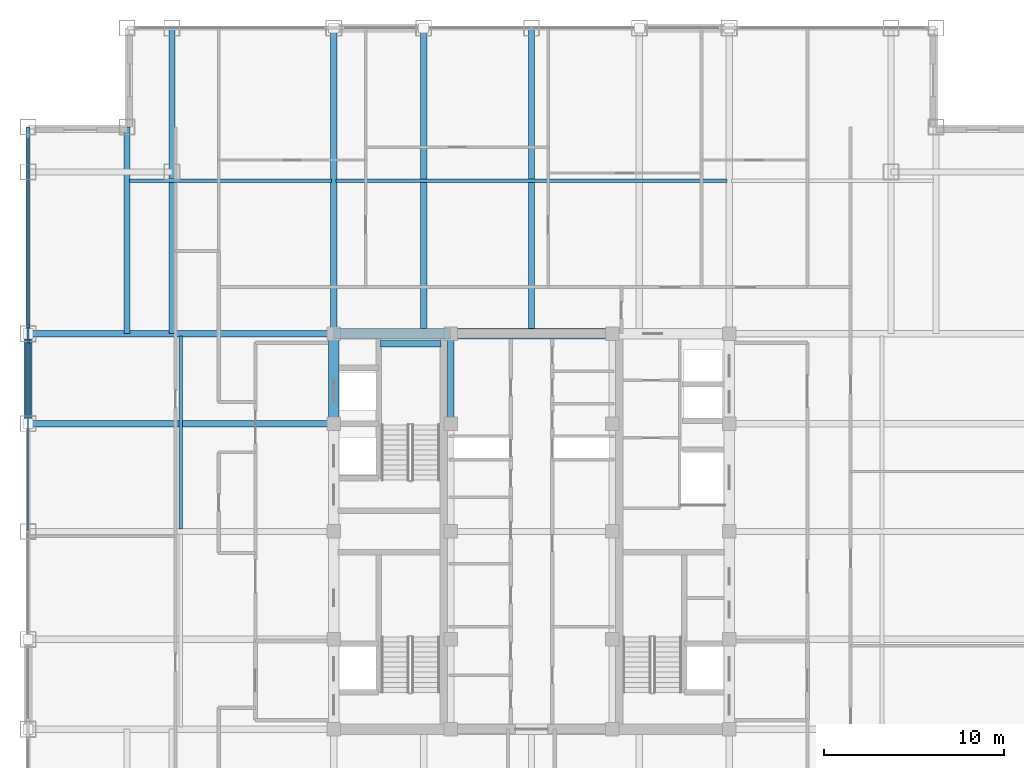
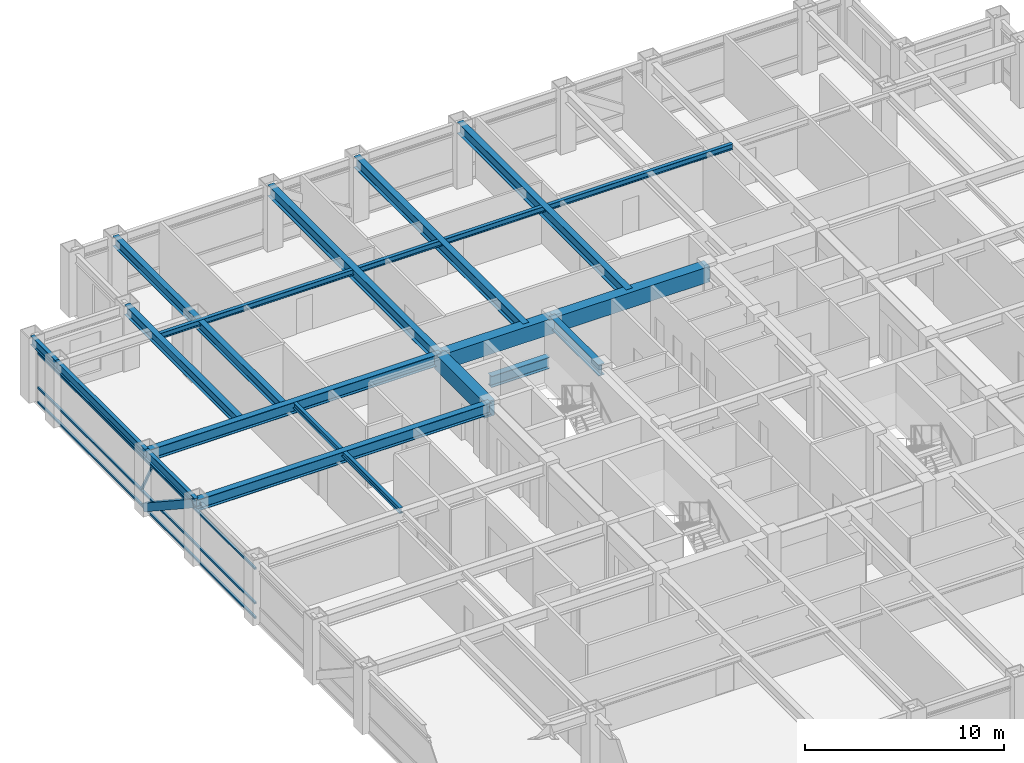
# One storey, part 11 of 22: 18 beams, 5 members, 1 element without a shape of its own.
"""IFC4 building model written with IfcOpenShell, lengths in metres."""

from ifc_helpers import new_model, si_unit, direction, frame, origin, origin_2d, place, context, subcontext, project, spatial, rectangle, hollow_rectangle, i_section, extrude, source, transform, mapped, material, material_profile, profile_set, type_object, element, aggregate, save


model = new_model("IFC4")

# Units and contexts
model_context = context("Model", 3, precision=1e-05, world=origin(), true_north=direction((0.0, 1.0)))
body_context = subcontext(model_context, "Body", "Model", "MODEL_VIEW")
ifc_project = project(units=[si_unit("LENGTHUNIT", "METRE"), si_unit("AREAUNIT", "SQUARE_METRE"), si_unit("VOLUMEUNIT", "CUBIC_METRE"), si_unit("PLANEANGLEUNIT", "RADIAN"), si_unit("MASSUNIT", "GRAM", prefix="KILO")], contexts=[model_context])

# Site, building, storey
site_placement = place(None, origin())
site = spatial("IfcSite", under=ifc_project, at=site_placement, CompositionType="ELEMENT")
building_placement = place(site_placement, origin())
building = spatial("IfcBuilding", under=site, at=building_placement, Name="Khorayat Bourse Tower", CompositionType="ELEMENT")
storey_placement = place(building_placement, frame((0.0, 0.0, 301.5)))
storey = spatial("IfcBuildingStorey", under=building, at=storey_placement, Name="L71", CompositionType="ELEMENT", Elevation=301.5)

# Beams
ifc_material_1 = material(Name="Steel ASTM A992 Grade 50", Category="steel")
ifc_material_profile_1 = material_profile(ifc_material_1, i_section(OverallWidth=0.35498046875, OverallDepth=0.695068359375, WebThickness=0.015380859375, FlangeThickness=0.02490234375, FilletRadius=0.01806640625, at=origin_2d()), Name="W690X217")
ifc_profile_set_1 = profile_set([ifc_material_profile_1], Name="Steel ASTM A992 Grade 50")
beam_type_1 = type_object("IfcBeamType", Name="BM-GIRD-690", PredefinedType="BEAM", material=ifc_profile_set_1)
shared_shape_1 = source(origin(), body_context, "Body", "SweptSolid", [
    extrude(i_section(OverallWidth=0.35498046875, OverallDepth=0.695068359375, WebThickness=0.015380859375, FlangeThickness=0.02490234375, FilletRadius=0.01806640625, at=origin_2d()), origin(), (0.0, 0.0, 1.0), 5.0),
])
beam_1_placement = place(storey_placement, frame((-4.5, 6.0, 3.4326171875), z_axis=(0.0, 1.0, 0.0), x_axis=(-1.0, 0.0, 0.0)))
element("IfcBeam", 1, at=beam_1_placement, inside=storey, type_object=beam_type_1, Name="L71 BM-GIRD-690 BM-L71-CRX-08", PredefinedType="BEAM", context=body_context, shape_type="MappedRepresentation", body=[
    mapped(shared_shape_1, transform((0.0, 0.0, 0.0), scale=1.0)),
])
shared_shape_2 = source(origin(), body_context, "Body", "SweptSolid", [
    extrude(i_section(OverallWidth=0.35498046875, OverallDepth=0.695068359375, WebThickness=0.015380859375, FlangeThickness=0.02490234375, FilletRadius=0.01806640625, at=origin_2d()), origin(), (0.0, 0.0, 1.0), 3.39990234375),
])
beam_2_placement = place(storey_placement, frame((-8.419921875, 10.449951171875, 1.452392578125), z_axis=(1.0, 0.0, 0.0), x_axis=(0.0, 1.0, 0.0)))
element("IfcBeam", 2, at=beam_2_placement, inside=storey, type_object=beam_type_1, Name="L71 BM-GIRD-690 BM-L71-ST2L", PredefinedType="BEAM", context=body_context, shape_type="MappedRepresentation", body=[
    mapped(shared_shape_2, transform((0.0, 0.0, 0.0), scale=1.0)),
])
ifc_material_profile_2 = material_profile(ifc_material_1, i_section(OverallWidth=0.324951171875, OverallDepth=0.615966796875, WebThickness=0.013916015625, FlangeThickness=0.021484375, FilletRadius=0.01611328125, at=origin_2d()), Name="W610X174")
ifc_profile_set_2 = profile_set([ifc_material_profile_2], Name="Steel ASTM A992 Grade 50")
beam_type_2 = type_object("IfcBeamType", Name="BM-GIRD-610", PredefinedType="BEAM", material=ifc_profile_set_2)
shared_shape_3 = source(origin(), body_context, "Body", "SweptSolid", [
    extrude(i_section(OverallWidth=0.324951171875, OverallDepth=0.615966796875, WebThickness=0.013916015625, FlangeThickness=0.021484375, FilletRadius=0.01611328125, at=origin_2d()), origin(), (0.0, 0.0, 1.0), 17.0),
])
beam_3_placement = place(storey_placement, frame((-20.0, 11.0, 3.471923828125), z_axis=(0.0, 1.0, 0.0), x_axis=(-1.0, 0.0, 0.0)))
element("IfcBeam", 3, at=beam_3_placement, inside=storey, type_object=beam_type_2, Name="L71 BM-GIRD-610 BM-L71-CNRY-085", PredefinedType="BEAM", context=body_context, shape_type="MappedRepresentation", body=[
    mapped(shared_shape_3, transform((0.0, 0.0, 0.0), scale=1.0)),
])
ifc_material_2 = material(Name="Concrete C60/75", Category="concrete")
ifc_material_profile_3 = material_profile(ifc_material_2, rectangle(XDim=0.60009765625, YDim=0.949951171875, at=origin_2d()), Name="RC 600x950")
ifc_profile_set_3 = profile_set([ifc_material_profile_3], Name="Concrete C60/75")
beam_type_3 = type_object("IfcBeamType", Name="BM-COUP-950", PredefinedType="BEAM", material=ifc_profile_set_3)
shared_shape_4 = source(origin(), body_context, "Body", "SweptSolid", [
    extrude(rectangle(XDim=0.60009765625, YDim=0.949951171875, at=origin_2d()), origin(), (0.0, 0.0, 1.0), 5.0),
])
beam_4_placement = place(storey_placement, frame((-11.0, 6.0, 3.304931640625), z_axis=(0.0, 1.0, 0.0), x_axis=(-1.0, 0.0, 0.0)))
element("IfcBeam", 4, at=beam_4_placement, inside=storey, type_object=beam_type_3, Name="L71 BM-COUP-950 BM-L71-CRX-04", PredefinedType="BEAM", context=body_context, shape_type="MappedRepresentation", body=[
    mapped(shared_shape_4, transform((0.0, 0.0, 0.0), scale=1.0)),
])
shared_shape_5 = source(origin(), body_context, "Body", "SweptSolid", [
    extrude(rectangle(XDim=0.60009765625, YDim=0.949951171875, at=origin_2d()), origin(), (0.0, 0.0, 1.0), 6.5),
])
beam_5_placement = place(storey_placement, frame((-11.0, 11.0, 3.304931640625), z_axis=(1.0, 0.0, 0.0), x_axis=(0.0, 1.0, 0.0)))
element("IfcBeam", 5, at=beam_5_placement, inside=storey, type_object=beam_type_3, Name="L71 BM-COUP-950 BM-L71-CRY-20", PredefinedType="BEAM", context=body_context, shape_type="MappedRepresentation", body=[
    mapped(shared_shape_5, transform((0.0, 0.0, 0.0), scale=1.0)),
])
shared_shape_6 = source(origin(), body_context, "Body", "SweptSolid", [
    extrude(rectangle(XDim=0.60009765625, YDim=0.949951171875, at=origin_2d()), origin(), (0.0, 0.0, 1.0), 9.0),
])
beam_6_placement = place(storey_placement, frame((-4.5, 11.0, 3.304931640625), z_axis=(1.0, 0.0, 0.0), x_axis=(0.0, 1.0, 0.0)))
element("IfcBeam", 6, at=beam_6_placement, inside=storey, type_object=beam_type_3, Name="L71 BM-COUP-950 BM-L71-CRY-21", PredefinedType="BEAM", context=body_context, shape_type="MappedRepresentation", body=[
    mapped(shared_shape_6, transform((0.0, 0.0, 0.0), scale=1.0)),
])

# Member
ifc_material_3 = material(Name="Steel EN 10025-4 S460M", Category="steel")
ifc_material_profile_4 = material_profile(ifc_material_3, hollow_rectangle(XDim=0.449951171875, YDim=0.449951171875, WallThickness=0.02490234375, at=origin_2d()), Name="HSS 450x450x25")
ifc_profile_set_4 = profile_set([ifc_material_profile_4], Name="Steel EN 10025-4 S460M")
member_type_1 = type_object("IfcMemberType", Name="MBR-TUBE-450", PredefinedType="BRACE", material=ifc_profile_set_4)
shared_shape_7 = source(origin(), body_context, "Body", "SweptSolid", [
    extrude(hollow_rectangle(XDim=0.449951171875, YDim=0.449951171875, WallThickness=0.02490234375, at=origin_2d()), origin(), (0.0, 0.0, 1.0), 5.979736328125),
])
member_1_placement = place(storey_placement, frame((-28.0, 6.0, 3.530029296875), z_axis=(0.0, 0.836141536525, -0.548513747227), x_axis=(-1.0, 0.0, 0.0)))
element("IfcMember", 7, at=member_1_placement, inside=storey, type_object=member_type_1, Name="L71 Perimeter Tube Brace 06", PredefinedType="BRACE", context=body_context, shape_type="MappedRepresentation", body=[
    mapped(shared_shape_7, transform((0.0, 0.0, 0.0), scale=1.0)),
])

# Beams
shared_shape_8 = source(origin(), body_context, "Body", "SweptSolid", [
    extrude(i_section(OverallWidth=0.35498046875, OverallDepth=0.695068359375, WebThickness=0.015380859375, FlangeThickness=0.02490234375, FilletRadius=0.01806640625, at=origin_2d()), origin(), (0.0, 0.0, 1.0), 17.0),
])
for number, where, z_axis, x_axis, name in (
    (8, (-11.0, 11.0, 3.4326171875), (0.0, 1.0, 0.0), (-1.0, 0.0, 0.0), "L71 BM-GIRD-690 BM-L71-RADY-064"),
    (9, (-6.0, 11.0, 3.4326171875), (0.0, 1.0, 0.0), (-1.0, 0.0, 0.0), "L71 BM-GIRD-690 BM-L71-RADY-066"),
    (10, (0.0, 11.0, 3.4326171875), (0.0, 1.0, 0.0), (-1.0, 0.0, 0.0), "L71 BM-GIRD-690 BM-L71-RADY-068"),
    (11, (-28.0, 6.0, 3.4326171875), (1.0, 0.0, 0.0), (0.0, 1.0, 0.0), "L71 BM-GIRD-690 BM-L71-RADX-081"),
    (12, (-28.0, 11.0, 3.4326171875), (1.0, 0.0, 0.0), (0.0, 1.0, 0.0), "L71 BM-GIRD-690 BM-L71-RADX-083"),
):
    element("IfcBeam", number, at=place(storey_placement, frame(where, z_axis=z_axis, x_axis=x_axis)), inside=storey, type_object=beam_type_1, Name=name, PredefinedType="BEAM", context=body_context, shape_type="MappedRepresentation", body=[
        mapped(shared_shape_8, transform((0.0, 0.0, 0.0), scale=1.0)),
    ])
shared_shape_9 = source(origin(), body_context, "Body", "SweptSolid", [
    extrude(i_section(OverallWidth=0.324951171875, OverallDepth=0.615966796875, WebThickness=0.013916015625, FlangeThickness=0.021484375, FilletRadius=0.01611328125, at=origin_2d()), origin(), (0.0, 0.0, 1.0), 11.5),
])
beam_7_placement = place(storey_placement, frame((-22.5, 11.0, 3.471923828125), z_axis=(0.0, 1.0, 0.0), x_axis=(-1.0, 0.0, 0.0)))
element("IfcBeam", 13, at=beam_7_placement, inside=storey, type_object=beam_type_2, Name="L71 BM-GIRD-610 BM-L71-CNRY-089", PredefinedType="BEAM", context=body_context, shape_type="MappedRepresentation", body=[
    mapped(shared_shape_9, transform((0.0, 0.0, 0.0), scale=1.0)),
])
ifc_material_profile_5 = material_profile(ifc_material_1, i_section(OverallWidth=0.202880859375, OverallDepth=0.346923828125, WebThickness=0.0078125, FlangeThickness=0.013427734375, FilletRadius=0.010009765625, at=origin_2d()), Name="W360X64")
ifc_profile_set_5 = profile_set([ifc_material_profile_5], Name="Steel ASTM A992 Grade 50")
beam_type_4 = type_object("IfcBeamType", Name="BM-JOIST-360", PredefinedType="JOIST", material=ifc_profile_set_5)
shared_shape_10 = source(origin(), body_context, "Body", "SweptSolid", [
    extrude(i_section(OverallWidth=0.202880859375, OverallDepth=0.346923828125, WebThickness=0.0078125, FlangeThickness=0.013427734375, FilletRadius=0.010009765625, at=origin_2d()), origin(), (0.0, 0.0, 1.0), 11.240234375),
])
beam_8_placement = place(storey_placement, frame((-22.3701171875, 19.5, 3.6064453125), z_axis=(1.0, 0.0, 0.0), x_axis=(0.0, 1.0, 0.0)))
element("IfcBeam", 14, at=beam_8_placement, inside=storey, type_object=beam_type_4, Name="L71 BM-JOIST-360 BM-L71-JSTX-099", PredefinedType="JOIST", context=body_context, shape_type="MappedRepresentation", body=[
    mapped(shared_shape_10, transform((0.0, 0.0, 0.0), scale=1.0)),
])
shared_shape_11 = source(origin(), body_context, "Body", "SweptSolid", [
    extrude(i_section(OverallWidth=0.202880859375, OverallDepth=0.346923828125, WebThickness=0.0078125, FlangeThickness=0.013427734375, FilletRadius=0.010009765625, at=origin_2d()), origin(), (0.0, 0.0, 1.0), 21.740234375),
])
beam_9_placement = place(storey_placement, frame((-10.8701171875, 19.5, 3.6064453125), z_axis=(1.0, 0.0, 0.0), x_axis=(0.0, 1.0, 0.0)))
element("IfcBeam", 15, at=beam_9_placement, inside=storey, type_object=beam_type_4, Name="L71 BM-JOIST-360 BM-L71-JSTX-100", PredefinedType="JOIST", context=body_context, shape_type="MappedRepresentation", body=[
    mapped(shared_shape_11, transform((0.0, 0.0, 0.0), scale=1.0)),
])
shared_shape_12 = source(origin(), body_context, "Body", "SweptSolid", [
    extrude(i_section(OverallWidth=0.202880859375, OverallDepth=0.346923828125, WebThickness=0.0078125, FlangeThickness=0.013427734375, FilletRadius=0.010009765625, at=origin_2d()), origin(), (0.0, 0.0, 1.0), 10.740234375),
])
beam_10_placement = place(storey_placement, frame((-19.5, 0.1298828125, 3.6064453125), z_axis=(0.0, 1.0, 0.0), x_axis=(-1.0, 0.0, 0.0)))
element("IfcBeam", 16, at=beam_10_placement, inside=storey, type_object=beam_type_4, Name="L71 BM-JOIST-360 BM-L71-JSTY-103", PredefinedType="JOIST", context=body_context, shape_type="MappedRepresentation", body=[
    mapped(shared_shape_12, transform((0.0, 0.0, 0.0), scale=1.0)),
])
ifc_material_profile_6 = material_profile(ifc_material_1, i_section(OverallWidth=0.214111328125, OverallDepth=0.549072265625, WebThickness=0.0146484375, FlangeThickness=0.023681640625, FilletRadius=0.013916015625, at=origin_2d()), Name="W530X138")
ifc_profile_set_6 = profile_set([ifc_material_profile_6], Name="Steel ASTM A992 Grade 50")
beam_type_5 = type_object("IfcBeamType", Name="BM-SPAN-530", PredefinedType="SPANDREL", material=ifc_profile_set_6)
shared_shape_13 = source(origin(), body_context, "Body", "SweptSolid", [
    extrude(i_section(OverallWidth=0.214111328125, OverallDepth=0.549072265625, WebThickness=0.0146484375, FlangeThickness=0.023681640625, FilletRadius=0.013916015625, at=origin_2d()), origin(), (0.0, 0.0, 1.0), 2.5),
])
beam_11_placement = place(storey_placement, frame((-28.0, 20.0, 3.505615234375), z_axis=(0.0, 1.0, 0.0), x_axis=(-1.0, 0.0, 0.0)))
element("IfcBeam", 17, at=beam_11_placement, inside=storey, type_object=beam_type_5, Name="L71 BM-SPAN-530 BM-L71-SPN-054", PredefinedType="SPANDREL", context=body_context, shape_type="MappedRepresentation", body=[
    mapped(shared_shape_13, transform((0.0, 0.0, 0.0), scale=1.0)),
])
shared_shape_14 = source(origin(), body_context, "Body", "SweptSolid", [
    extrude(i_section(OverallWidth=0.214111328125, OverallDepth=0.549072265625, WebThickness=0.0146484375, FlangeThickness=0.023681640625, FilletRadius=0.013916015625, at=origin_2d()), origin(), (0.0, 0.0, 1.0), 9.0),
])
beam_12_placement = place(storey_placement, frame((-28.0, 11.0, 3.505615234375), z_axis=(0.0, 1.0, 0.0), x_axis=(-1.0, 0.0, 0.0)))
element("IfcBeam", 18, at=beam_12_placement, inside=storey, type_object=beam_type_5, Name="L71 BM-SPAN-530 BM-L71-SPN-055", PredefinedType="SPANDREL", context=body_context, shape_type="MappedRepresentation", body=[
    mapped(shared_shape_14, transform((0.0, 0.0, 0.0), scale=1.0)),
])
shared_shape_15 = source(origin(), body_context, "Body", "SweptSolid", [
    extrude(i_section(OverallWidth=0.214111328125, OverallDepth=0.549072265625, WebThickness=0.0146484375, FlangeThickness=0.023681640625, FilletRadius=0.013916015625, at=origin_2d()), origin(), (0.0, 0.0, 1.0), 5.0),
])
beam_13_placement = place(storey_placement, frame((-28.0, 6.0, 3.505615234375), z_axis=(0.0, 1.0, 0.0), x_axis=(-1.0, 0.0, 0.0)))
element("IfcBeam", 19, at=beam_13_placement, inside=storey, type_object=beam_type_5, Name="L71 BM-SPAN-530 BM-L71-SPN-056", PredefinedType="SPANDREL", context=body_context, shape_type="MappedRepresentation", body=[
    mapped(shared_shape_15, transform((0.0, 0.0, 0.0), scale=1.0)),
])

# Curtain wall, members
ifc_material_4 = material(Name="Aluminium EN AW-6063 T6", Category="aluminium")
curtain_wall_type = type_object("IfcCurtainWallType", Name="CW-SYS-04", PredefinedType="NOTDEFINED", material=ifc_material_4)
curtain_wall_placement = place(storey_placement, origin())
curtain_wall = element("IfcCurtainWall", 20, at=curtain_wall_placement, inside=storey, type_object=curtain_wall_type, Name="L71 Curtain Wall CW-L71-W1", PredefinedType="NOTDEFINED")
ifc_material_profile_7 = material_profile(ifc_material_4, hollow_rectangle(XDim=0.1201171875, YDim=0.1201171875, WallThickness=0.0048828125, at=origin_2d()), Name="ALU 120x120x5")
ifc_profile_set_7 = profile_set([ifc_material_profile_7], Name="Aluminium EN AW-6063 T6")
member_type_2 = type_object("IfcMemberType", Name="CWM-DIAG-120", PredefinedType="MULLION", material=ifc_profile_set_7)
shared_shape_16 = source(origin(), body_context, "Body", "SweptSolid", [
    extrude(hollow_rectangle(XDim=0.1201171875, YDim=0.1201171875, WallThickness=0.0048828125, at=origin_2d()), origin(), (0.0, 0.0, 1.0), 2.0791015625),
])
member_2_placement = place(storey_placement, frame((-28.0, 11.4541015625, 1.090087890625), z_axis=(0.0, -0.465717394116, 0.884933505309), x_axis=(1.0, 0.0, 0.0)))
member_2 = element("IfcMember", 21, at=member_2_placement, type_object=member_type_2, Name="CW-L71-W1 Faceted Diagonal Mullion 2", PredefinedType="MULLION", context=body_context, shape_type="MappedRepresentation", body=[
    mapped(shared_shape_16, transform((0.0, 0.0, 0.0), scale=1.0)),
])
ifc_material_profile_8 = material_profile(ifc_material_4, hollow_rectangle(XDim=0.1201171875, YDim=0.1201171875, WallThickness=0.0048828125, at=origin_2d()), Name="ALU 120x120x5")
ifc_profile_set_8 = profile_set([ifc_material_profile_8], Name="Aluminium EN AW-6063 T6")
member_type_3 = type_object("IfcMemberType", Name="CWT-HORZ-120", PredefinedType="USERDEFINED", material=ifc_profile_set_8)
shared_shape_17 = source(origin(), body_context, "Body", "SweptSolid", [
    extrude(hollow_rectangle(XDim=0.1201171875, YDim=0.1201171875, WallThickness=0.0048828125, at=origin_2d()), origin(), (0.0, 0.0, 1.0), 21.81982421875),
])
member_3_placement = place(storey_placement, frame((-28.0, 0.06005859375, 0.06005859375), z_axis=(0.0, 1.0, 0.0), x_axis=(-1.0, 0.0, 0.0)))
member_3 = element("IfcMember", 22, at=member_3_placement, type_object=member_type_3, Name="CW-L71-W1 Horizontal Transom 2-1", ObjectType="TRANSOM", PredefinedType="USERDEFINED", context=body_context, shape_type="MappedRepresentation", body=[
    mapped(shared_shape_17, transform((0.0, 0.0, 0.0), scale=1.0)),
])
member_4_placement = place(storey_placement, frame((-28.0, 0.06005859375, 0.949951171875), z_axis=(0.0, 1.0, 0.0), x_axis=(-1.0, 0.0, 0.0)))
member_4 = element("IfcMember", 23, at=member_4_placement, type_object=member_type_3, Name="CW-L71-W1 Horizontal Transom 2-2", ObjectType="TRANSOM", PredefinedType="USERDEFINED", context=body_context, shape_type="MappedRepresentation", body=[
    mapped(shared_shape_17, transform((0.0, 0.0, 0.0), scale=1.0)),
])
member_5_placement = place(storey_placement, frame((-28.0, 0.06005859375, 3.070068359375), z_axis=(0.0, 1.0, 0.0), x_axis=(-1.0, 0.0, 0.0)))
member_5 = element("IfcMember", 24, at=member_5_placement, type_object=member_type_3, Name="CW-L71-W1 Horizontal Transom 2-3", ObjectType="TRANSOM", PredefinedType="USERDEFINED", context=body_context, shape_type="MappedRepresentation", body=[
    mapped(shared_shape_17, transform((0.0, 0.0, 0.0), scale=1.0)),
])
aggregate(curtain_wall, [member_3, member_4, member_5, member_2])

save(model, "model.ifc")
